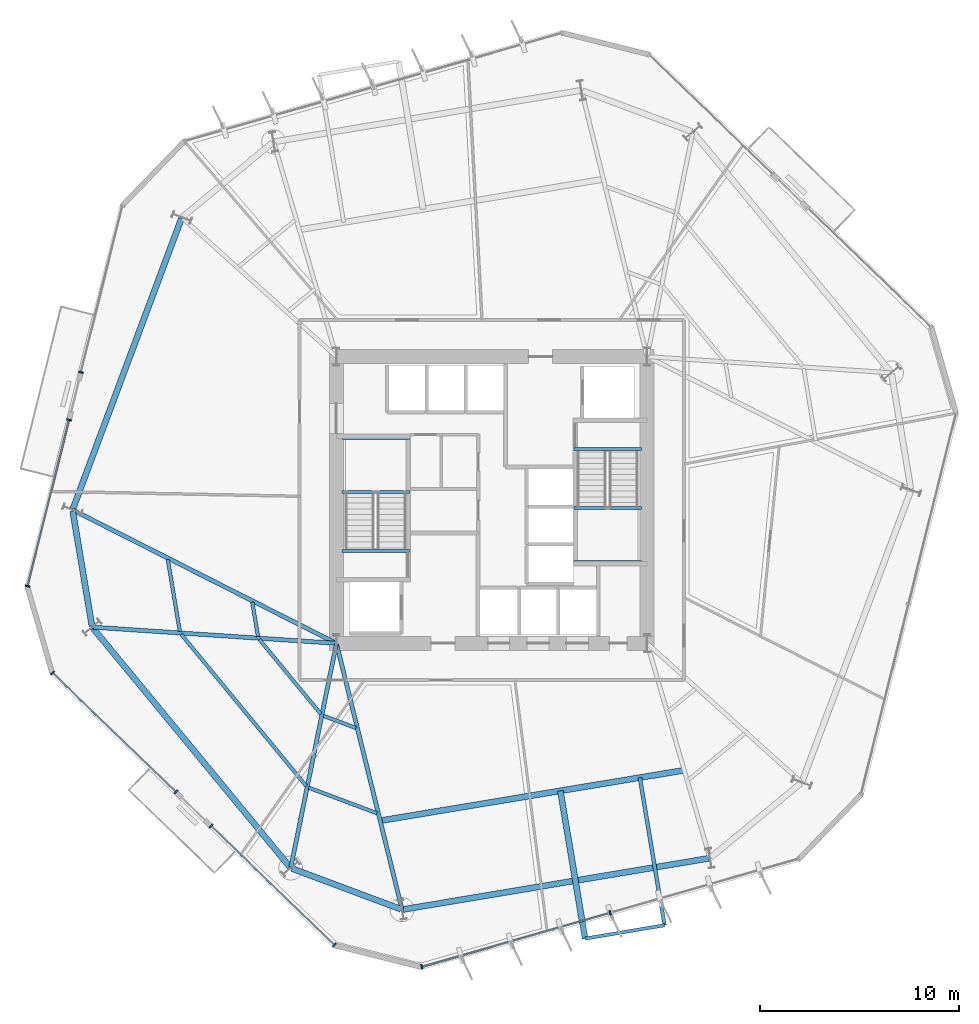
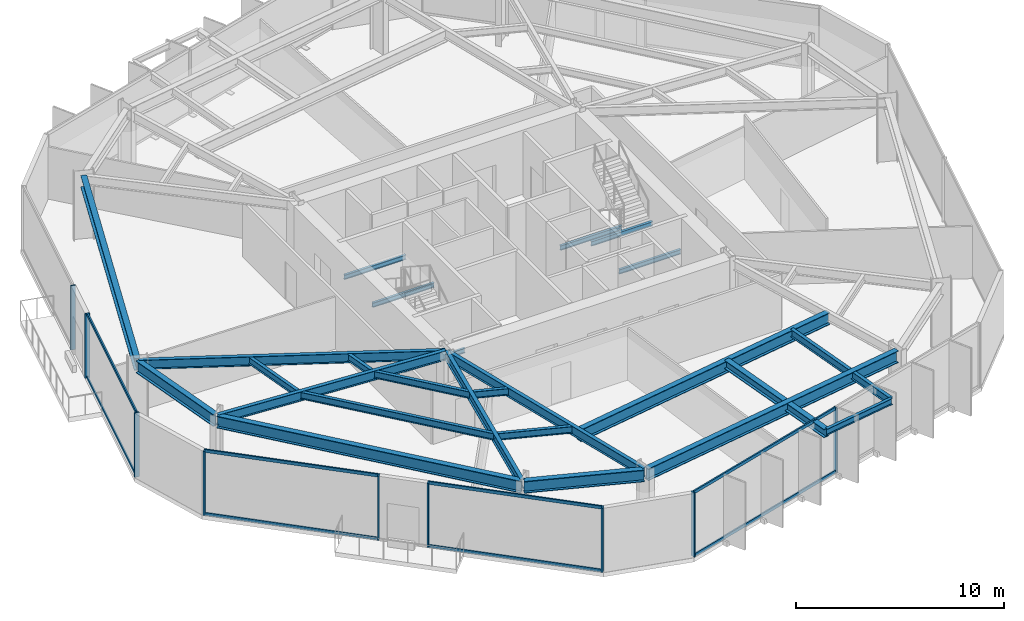
# One storey, part 2 of 10: 25 beams, 17 members, 5 elements without a shape of their own.
"""IFC4 building model written with IfcOpenShell, lengths in metres."""

from ifc_helpers import new_model, si_unit, direction, frame, origin, origin_2d, place, context, subcontext, project, spatial, rectangle, i_section, extrude, material, layer, layer_set, material_profile, profile_set, type_object, element, aggregate, save


model = new_model("IFC4")

# Units and contexts
model_context = context("Model", 3, precision=1e-05, world=origin(), true_north=direction((0.0, 1.0)))
body_context = subcontext(model_context, "Body", "Model", "MODEL_VIEW")
ifc_project = project(units=[si_unit("LENGTHUNIT", "METRE"), si_unit("AREAUNIT", "SQUARE_METRE"), si_unit("VOLUMEUNIT", "CUBIC_METRE"), si_unit("PLANEANGLEUNIT", "RADIAN"), si_unit("MASSUNIT", "GRAM", prefix="KILO")], contexts=[model_context])

# Site, building, storey
site_placement = place(None, origin())
site = spatial("IfcSite", under=ifc_project, at=site_placement, CompositionType="ELEMENT")
building_placement = place(site_placement, origin())
building = spatial("IfcBuilding", under=site, at=building_placement, Name="Kranzbogen Civic Tower", CompositionType="ELEMENT")
storey_placement = place(building_placement, frame((0.0, 0.0, 84.0)))
storey = spatial("IfcBuildingStorey", under=building, at=storey_placement, Name="L20", CompositionType="ELEMENT", Elevation=84.0)

# Beam
ifc_material_1 = material(Name="Steel S355", Category="steel")
ifc_material_profile_1 = material_profile(ifc_material_1, i_section(OverallWidth=0.18994140625, OverallDepth=0.449951171875, WebThickness=0.009521484375, FlangeThickness=0.0146484375, at=origin_2d()), Name="IPE 450")
ifc_profile_set_1 = profile_set([ifc_material_profile_1], Name="Steel S355")
beam_type_1 = type_object("IfcBeamType", Name="Braced Terrace Edge Beam IPE 450", PredefinedType="BEAM", material=ifc_profile_set_1)
beam_1_placement = place(storey_placement, frame((32.43505859375, 11.055908203125, 3.52490234375), z_axis=(0.165067748131, -0.986282230666, 0.0), x_axis=(0.986282230666, 0.165067748131, 0.0)))
element("IfcBeam", 1, at=beam_1_placement, inside=storey, type_object=beam_type_1, Name="L21 back-spanned terrace beam L21-TB1-2", PredefinedType="BEAM", context=body_context, shape_type="SweptSolid", body=[
    extrude(i_section(OverallWidth=0.18994140625, OverallDepth=0.449951171875, WebThickness=0.009521484375, FlangeThickness=0.0146484375, at=origin_2d()), origin(), (0.0, 0.0, 1.0), 7.517822265625),
])

# Curtain wall, member
ifc_material_2 = material(Name="Pale Anodised Aluminium", Category="aluminium")
ifc_layer = layer(ifc_material_2, 0.219970703125, Name="Pale Anodised Aluminium")
ifc_layer_set = layer_set([ifc_layer], Name="Pale Anodised Aluminium")
curtain_wall_type = type_object("IfcCurtainWallType", Name="Zone 1 Stick Curtain Wall System CW-02", PredefinedType="USERDEFINED", material=ifc_layer_set)
curtain_wall_1_placement = place(storey_placement, origin())
curtain_wall_1 = element("IfcCurtainWall", 2, at=curtain_wall_1_placement, inside=storey, type_object=curtain_wall_type, Name="L20 curtain wall CW-L20-F3-S1", ObjectType="STICK CURTAIN WALL", PredefinedType="USERDEFINED")
ifc_material_profile_2 = material_profile(ifc_material_2, rectangle(XDim=0.080078125, YDim=0.239990234375, at=origin_2d()), Name="ALU-M 80x240")
ifc_profile_set_2 = profile_set([ifc_material_profile_2], Name="Pale Anodised Aluminium")
member_type_1 = type_object("IfcMemberType", Name="Curtain Wall Mullion ALU-M 80x240", PredefinedType="MULLION", material=ifc_profile_set_2)
member_1_placement = place(storey_placement, frame((4.365234375, 31.4130859375, 0.0), z_axis=(0.0, 0.0, 1.0), x_axis=(-0.241938635262, -0.970291552456, 0.0)))
member_1 = element("IfcMember", 3, at=member_1_placement, type_object=member_type_1, Name="CW-02 mullion 2", PredefinedType="MULLION", context=body_context, shape_type="SweptSolid", body=[
    extrude(rectangle(XDim=0.080078125, YDim=0.239990234375, at=origin_2d()), origin(), (0.0, 0.0, 1.0), 3.760009765625),
])
aggregate(curtain_wall_1, [member_1])

# Curtain wall, members
curtain_wall_2_placement = place(storey_placement, origin())
curtain_wall_2 = element("IfcCurtainWall", 4, at=curtain_wall_2_placement, inside=storey, type_object=curtain_wall_type, Name="L20 curtain wall CW-L20-F3-S2", ObjectType="STICK CURTAIN WALL", PredefinedType="USERDEFINED")
member_2_placement = place(storey_placement, frame((3.770751953125, 29.02587890625, 0.0), z_axis=(0.0, 0.0, 1.0), x_axis=(-0.241911567018, -0.970298301422, 0.0)))
member_2 = element("IfcMember", 5, at=member_2_placement, type_object=member_type_1, Name="CW-02 mullion 1", PredefinedType="MULLION", context=body_context, shape_type="SweptSolid", body=[
    extrude(rectangle(XDim=0.080078125, YDim=0.239990234375, at=origin_2d()), origin(), (0.0, 0.0, 1.0), 3.760009765625),
])
member_3_placement = place(storey_placement, frame((1.687255859375, 20.669189453125, 0.0), z_axis=(0.0, 0.0, 1.0), x_axis=(-0.241911567018, -0.970298301422, 0.0)))
member_3 = element("IfcMember", 6, at=member_3_placement, type_object=member_type_1, Name="CW-02 mullion 2", PredefinedType="MULLION", context=body_context, shape_type="SweptSolid", body=[
    extrude(rectangle(XDim=0.080078125, YDim=0.239990234375, at=origin_2d()), origin(), (0.0, 0.0, 1.0), 3.760009765625),
])

curtain_wall_3_placement = place(storey_placement, origin())
curtain_wall_3 = element("IfcCurtainWall", 7, at=curtain_wall_3_placement, inside=storey, type_object=curtain_wall_type, Name="L20 curtain wall CW-L20-F4-S1", ObjectType="STICK CURTAIN WALL", PredefinedType="USERDEFINED")
member_4_placement = place(storey_placement, frame((2.9345703125, 16.319091796875, 0.0), z_axis=(0.0, 0.0, 1.0), x_axis=(0.719280253947, -0.694720027264, 0.0)))
member_4 = element("IfcMember", 8, at=member_4_placement, type_object=member_type_1, Name="CW-02 mullion 1", PredefinedType="MULLION", context=body_context, shape_type="SweptSolid", body=[
    extrude(rectangle(XDim=0.080078125, YDim=0.239990234375, at=origin_2d()), origin(), (0.0, 0.0, 1.0), 3.760009765625),
])
member_5_placement = place(storey_placement, frame((9.12939453125, 10.3359375, 0.0), z_axis=(0.0, 0.0, 1.0), x_axis=(0.719280253947, -0.694720027264, 0.0)))
member_5 = element("IfcMember", 9, at=member_5_placement, type_object=member_type_1, Name="CW-02 mullion 2", PredefinedType="MULLION", context=body_context, shape_type="SweptSolid", body=[
    extrude(rectangle(XDim=0.080078125, YDim=0.239990234375, at=origin_2d()), origin(), (0.0, 0.0, 1.0), 3.760009765625),
])

curtain_wall_4_placement = place(storey_placement, origin())
curtain_wall_4 = element("IfcCurtainWall", 10, at=curtain_wall_4_placement, inside=storey, type_object=curtain_wall_type, Name="L20 curtain wall CW-L20-F4-S2", ObjectType="STICK CURTAIN WALL", PredefinedType="USERDEFINED")
member_6_placement = place(storey_placement, frame((10.899658203125, 8.627197265625, 0.0), z_axis=(0.0, 0.0, 1.0), x_axis=(0.719337874426, -0.694660364794, 0.0)))
member_6 = element("IfcMember", 11, at=member_6_placement, type_object=member_type_1, Name="CW-02 mullion 1", PredefinedType="MULLION", context=body_context, shape_type="SweptSolid", body=[
    extrude(rectangle(XDim=0.080078125, YDim=0.239990234375, at=origin_2d()), origin(), (0.0, 0.0, 1.0), 3.760009765625),
])
member_7_placement = place(storey_placement, frame((17.094482421875, 2.644775390625, 0.0), z_axis=(0.0, 0.0, 1.0), x_axis=(0.719337874426, -0.694660364794, 0.0)))
member_7 = element("IfcMember", 12, at=member_7_placement, type_object=member_type_1, Name="CW-02 mullion 2", PredefinedType="MULLION", context=body_context, shape_type="SweptSolid", body=[
    extrude(rectangle(XDim=0.080078125, YDim=0.239990234375, at=origin_2d()), origin(), (0.0, 0.0, 1.0), 3.760009765625),
])

curtain_wall_5_placement = place(storey_placement, origin())
curtain_wall_5 = element("IfcCurtainWall", 13, at=curtain_wall_5_placement, inside=storey, type_object=curtain_wall_type, Name="L20 curtain wall CW-L20-F5", ObjectType="STICK CURTAIN WALL", PredefinedType="USERDEFINED")
member_8_placement = place(storey_placement, frame((21.48583984375, 1.54931640625, 0.0), z_axis=(0.0, 0.0, 1.0), x_axis=(0.961250163231, 0.275677571973, 0.0)))
member_8 = element("IfcMember", 14, at=member_8_placement, type_object=member_type_1, Name="CW-02 mullion 1", PredefinedType="MULLION", context=body_context, shape_type="SweptSolid", body=[
    extrude(rectangle(XDim=0.080078125, YDim=0.239990234375, at=origin_2d()), origin(), (0.0, 0.0, 1.0), 3.760009765625),
])
member_9_placement = place(storey_placement, frame((30.946533203125, 4.262451171875, 0.0), z_axis=(0.0, 0.0, 1.0), x_axis=(0.961250163231, 0.275677571973, 0.0)))
member_9 = element("IfcMember", 15, at=member_9_placement, type_object=member_type_1, Name="CW-02 mullion 2", PredefinedType="MULLION", context=body_context, shape_type="SweptSolid", body=[
    extrude(rectangle(XDim=0.080078125, YDim=0.239990234375, at=origin_2d()), origin(), (0.0, 0.0, 1.0), 3.760009765625),
])

# Member
ifc_material_profile_3 = material_profile(ifc_material_2, rectangle(XDim=0.080078125, YDim=0.179931640625, at=origin_2d()), Name="ALU-T 80x180")
ifc_profile_set_3 = profile_set([ifc_material_profile_3], Name="Pale Anodised Aluminium")
member_type_2 = type_object("IfcMemberType", Name="Curtain Wall Transom ALU-T 80x180", PredefinedType="USERDEFINED", material=ifc_profile_set_3)
member_10_placement = place(storey_placement, frame((3.763427734375, 28.996826171875, 0.030029296875), z_axis=(-0.241897488986, -0.970301811202, 0.0), x_axis=(0.970301811202, -0.241897488986, 0.0)))
member_10 = element("IfcMember", 16, at=member_10_placement, type_object=member_type_2, Name="CW-02 transom 1.1", ObjectType="TRANSOM", PredefinedType="USERDEFINED", context=body_context, shape_type="SweptSolid", body=[
    extrude(rectangle(XDim=0.080078125, YDim=0.179931640625, at=origin_2d()), origin(), (0.0, 0.0, 1.0), 8.552490234375),
])

member_11_placement = place(storey_placement, frame((3.763427734375, 28.996826171875, 3.72998046875), z_axis=(-0.241897488986, -0.970301811202, 0.0), x_axis=(0.970301811202, -0.241897488986, 0.0)))
member_11 = element("IfcMember", 17, at=member_11_placement, type_object=member_type_2, Name="CW-02 transom 1.2", ObjectType="TRANSOM", PredefinedType="USERDEFINED", context=body_context, shape_type="SweptSolid", body=[
    extrude(rectangle(XDim=0.080078125, YDim=0.179931640625, at=origin_2d()), origin(), (0.0, 0.0, 1.0), 8.552490234375),
])

aggregate(curtain_wall_2, [member_2, member_3, member_10, member_11])

member_12_placement = place(storey_placement, frame((2.9560546875, 16.29833984375, 0.030029296875), z_axis=(0.719288815116, -0.694711163326, 0.0), x_axis=(0.694711163326, 0.719288815116, 0.0)))
member_12 = element("IfcMember", 18, at=member_12_placement, type_object=member_type_2, Name="CW-02 transom 1.1", ObjectType="TRANSOM", PredefinedType="USERDEFINED", context=body_context, shape_type="SweptSolid", body=[
    extrude(rectangle(XDim=0.080078125, YDim=0.179931640625, at=origin_2d()), origin(), (0.0, 0.0, 1.0), 8.552734375),
])

member_13_placement = place(storey_placement, frame((2.9560546875, 16.29833984375, 3.72998046875), z_axis=(0.719288815116, -0.694711163326, 0.0), x_axis=(0.694711163326, 0.719288815116, 0.0)))
member_13 = element("IfcMember", 19, at=member_13_placement, type_object=member_type_2, Name="CW-02 transom 1.2", ObjectType="TRANSOM", PredefinedType="USERDEFINED", context=body_context, shape_type="SweptSolid", body=[
    extrude(rectangle(XDim=0.080078125, YDim=0.179931640625, at=origin_2d()), origin(), (0.0, 0.0, 1.0), 8.552734375),
])

aggregate(curtain_wall_3, [member_4, member_5, member_12, member_13])

member_14_placement = place(storey_placement, frame((10.921142578125, 8.606201171875, 0.030029296875), z_axis=(0.71934636339, -0.694651574156, 0.0), x_axis=(0.694651574156, 0.71934636339, 0.0)))
member_14 = element("IfcMember", 20, at=member_14_placement, type_object=member_type_2, Name="CW-02 transom 1.1", ObjectType="TRANSOM", PredefinedType="USERDEFINED", context=body_context, shape_type="SweptSolid", body=[
    extrude(rectangle(XDim=0.080078125, YDim=0.179931640625, at=origin_2d()), origin(), (0.0, 0.0, 1.0), 8.5517578125),
])

member_15_placement = place(storey_placement, frame((10.921142578125, 8.606201171875, 3.72998046875), z_axis=(0.71934636339, -0.694651574156, 0.0), x_axis=(0.694651574156, 0.71934636339, 0.0)))
member_15 = element("IfcMember", 21, at=member_15_placement, type_object=member_type_2, Name="CW-02 transom 1.2", ObjectType="TRANSOM", PredefinedType="USERDEFINED", context=body_context, shape_type="SweptSolid", body=[
    extrude(rectangle(XDim=0.080078125, YDim=0.179931640625, at=origin_2d()), origin(), (0.0, 0.0, 1.0), 8.5517578125),
])

aggregate(curtain_wall_4, [member_6, member_7, member_14, member_15])

member_16_placement = place(storey_placement, frame((21.5146484375, 1.5576171875, 0.030029296875), z_axis=(0.96125507311, 0.275660451318, 0.0), x_axis=(-0.275660451318, 0.96125507311, 0.0)))
member_16 = element("IfcMember", 22, at=member_16_placement, type_object=member_type_2, Name="CW-02 transom 1.1", ObjectType="TRANSOM", PredefinedType="USERDEFINED", context=body_context, shape_type="SweptSolid", body=[
    extrude(rectangle(XDim=0.080078125, YDim=0.179931640625, at=origin_2d()), origin(), (0.0, 0.0, 1.0), 9.781982421875),
])

member_17_placement = place(storey_placement, frame((21.5146484375, 1.5576171875, 3.72998046875), z_axis=(0.96125507311, 0.275660451318, 0.0), x_axis=(-0.275660451318, 0.96125507311, 0.0)))
member_17 = element("IfcMember", 23, at=member_17_placement, type_object=member_type_2, Name="CW-02 transom 1.2", ObjectType="TRANSOM", PredefinedType="USERDEFINED", context=body_context, shape_type="SweptSolid", body=[
    extrude(rectangle(XDim=0.080078125, YDim=0.179931640625, at=origin_2d()), origin(), (0.0, 0.0, 1.0), 9.781982421875),
])

aggregate(curtain_wall_5, [member_8, member_9, member_16, member_17])

# Beams
ifc_material_profile_4 = material_profile(ifc_material_1, i_section(OverallWidth=0.300048828125, OverallDepth=0.5, WebThickness=0.014404296875, FlangeThickness=0.028076171875, at=origin_2d()), Name="HEB 500")
ifc_profile_set_4 = profile_set([ifc_material_profile_4], Name="Steel S355")
beam_type_2 = type_object("IfcBeamType", Name="Perimeter Tube Spandrel Beam HEB 500", PredefinedType="SPANDREL", material=ifc_profile_set_4)
beam_2_placement = place(storey_placement, frame((28.445068359375, 10.39306640625, 3.5), z_axis=(0.165014409192, -0.98629115618, 0.0), x_axis=(0.98629115618, 0.165014409192, 0.0)))
element("IfcBeam", 24, at=beam_2_placement, inside=storey, type_object=beam_type_2, Name="L21 back-spanned terrace beam L21-TB1-1", PredefinedType="SPANDREL", context=body_context, shape_type="SweptSolid", body=[
    extrude(i_section(OverallWidth=0.300048828125, OverallDepth=0.5, WebThickness=0.014404296875, FlangeThickness=0.028076171875, at=origin_2d()), origin(), (0.0, 0.0, 1.0), 7.5263671875),
])
ifc_material_profile_5 = material_profile(ifc_material_1, i_section(OverallWidth=0.300048828125, OverallDepth=0.699951171875, WebThickness=0.01708984375, FlangeThickness=0.031982421875, at=origin_2d()), Name="HEB 700")
ifc_profile_set_5 = profile_set([ifc_material_profile_5], Name="Steel S355")
beam_type_3 = type_object("IfcBeamType", Name="Perimeter Tube Spandrel Beam HEB 700", PredefinedType="SPANDREL", material=ifc_profile_set_5)
beam_3_placement = place(storey_placement, frame((3.952880859375, 24.445068359375, 3.409912109375), z_axis=(0.164913116942, -0.986308097838, 0.0), x_axis=(0.986308097838, 0.164913116942, 0.0)))
element("IfcBeam", 25, at=beam_3_placement, inside=storey, type_object=beam_type_3, Name="L20 perimeter spandrel beam 01", PredefinedType="SPANDREL", context=body_context, shape_type="SweptSolid", body=[
    extrude(i_section(OverallWidth=0.300048828125, OverallDepth=0.699951171875, WebThickness=0.01708984375, FlangeThickness=0.031982421875, at=origin_2d()), origin(), (0.0, 0.0, 1.0), 5.85205078125),
])
beam_4_placement = place(storey_placement, frame((4.966064453125, 18.568115234375, 3.409912109375), z_axis=(0.636074572579, -0.771627590304, 0.0), x_axis=(0.771627590304, 0.636074572579, 0.0)))
element("IfcBeam", 26, at=beam_4_placement, inside=storey, type_object=beam_type_3, Name="L20 perimeter spandrel beam 02", PredefinedType="SPANDREL", context=body_context, shape_type="SweptSolid", body=[
    extrude(i_section(OverallWidth=0.300048828125, OverallDepth=0.699951171875, WebThickness=0.01708984375, FlangeThickness=0.031982421875, at=origin_2d()), origin(), (0.0, 0.0, 1.0), 15.5595703125),
])
beam_5_placement = place(storey_placement, frame((14.95703125, 6.4951171875, 3.409912109375), z_axis=(0.936647646965, -0.350273015568, 0.0), x_axis=(0.350273015568, 0.936647646965, 0.0)))
element("IfcBeam", 27, at=beam_5_placement, inside=storey, type_object=beam_type_3, Name="L20 perimeter spandrel beam 03", PredefinedType="SPANDREL", context=body_context, shape_type="SweptSolid", body=[
    extrude(i_section(OverallWidth=0.300048828125, OverallDepth=0.699951171875, WebThickness=0.01708984375, FlangeThickness=0.031982421875, at=origin_2d()), origin(), (0.0, 0.0, 1.0), 5.852783203125),
])
beam_6_placement = place(storey_placement, frame((20.553955078125, 4.43408203125, 3.409912109375), z_axis=(0.986285563243, 0.165047834697, 0.0), x_axis=(-0.165047834697, 0.986285563243, 0.0)))
element("IfcBeam", 28, at=beam_6_placement, inside=storey, type_object=beam_type_3, Name="L20 perimeter spandrel beam 04", PredefinedType="SPANDREL", context=body_context, shape_type="SweptSolid", body=[
    extrude(i_section(OverallWidth=0.300048828125, OverallDepth=0.699951171875, WebThickness=0.01708984375, FlangeThickness=0.031982421875, at=origin_2d()), origin(), (0.0, 0.0, 1.0), 15.558349609375),
])
beam_7_placement = place(storey_placement, frame((9.412109375, 39.133056640625, 3.409912109375), z_axis=(-0.350172267932, -0.936685316833, 0.0), x_axis=(0.936685316833, -0.350172267932, 0.0)))
element("IfcBeam", 29, at=beam_7_placement, inside=storey, type_object=beam_type_3, Name="L20 perimeter spandrel beam 12", PredefinedType="SPANDREL", context=body_context, shape_type="SweptSolid", body=[
    extrude(i_section(OverallWidth=0.300048828125, OverallDepth=0.699951171875, WebThickness=0.01708984375, FlangeThickness=0.031982421875, at=origin_2d()), origin(), (0.0, 0.0, 1.0), 15.55810546875),
])
beam_8_placement = place(storey_placement, frame((19.39501953125, 8.889892578125, 3.39990234375), z_axis=(0.9864781902, 0.163892587571, 0.0), x_axis=(-0.163892587571, 0.9864781902, 0.0)))
element("IfcBeam", 30, at=beam_8_placement, inside=storey, type_object=beam_type_3, Name="L21 balcony back-span header girder L21-TB1", PredefinedType="SPANDREL", context=body_context, shape_type="SweptSolid", body=[
    extrude(i_section(OverallWidth=0.300048828125, OverallDepth=0.699951171875, WebThickness=0.01708984375, FlangeThickness=0.031982421875, at=origin_2d()), origin(), (0.0, 0.0, 1.0), 15.480224609375),
])
ifc_material_profile_6 = material_profile(ifc_material_1, i_section(OverallWidth=0.2099609375, OverallDepth=0.550048828125, WebThickness=0.010986328125, FlangeThickness=0.01708984375, at=origin_2d()), Name="IPE 550")
ifc_profile_set_6 = profile_set([ifc_material_profile_6], Name="Steel S355")
beam_type_4 = type_object("IfcBeamType", Name="Radial Tower Floor Girder IPE 550", PredefinedType="BEAM", material=ifc_profile_set_6)
beam_9_placement = place(storey_placement, frame((3.9970703125, 24.47705078125, 3.485107421875), z_axis=(0.892363219254, -0.451317942168, 0.0), x_axis=(0.451317942168, 0.892363219254, 0.0)))
element("IfcBeam", 31, at=beam_9_placement, inside=storey, type_object=beam_type_4, Name="L20 radial floor girder 01", PredefinedType="BEAM", context=body_context, shape_type="SweptSolid", body=[
    extrude(i_section(OverallWidth=0.2099609375, OverallDepth=0.550048828125, WebThickness=0.010986328125, FlangeThickness=0.01708984375, at=origin_2d()), origin(), (0.0, 0.0, 1.0), 14.73486328125),
])
beam_10_placement = place(storey_placement, frame((4.988037109375, 18.610107421875, 3.485107421875), z_axis=(0.99780674843, -0.066194356156, 0.0), x_axis=(0.066194356156, 0.99780674843, 0.0)))
element("IfcBeam", 32, at=beam_10_placement, inside=storey, type_object=beam_type_4, Name="L20 radial floor girder 02", PredefinedType="BEAM", context=body_context, shape_type="SweptSolid", body=[
    extrude(i_section(OverallWidth=0.2099609375, OverallDepth=0.550048828125, WebThickness=0.010986328125, FlangeThickness=0.01708984375, at=origin_2d()), origin(), (0.0, 0.0, 1.0), 12.178466796875),
])
beam_11_placement = place(storey_placement, frame((14.9130859375, 6.574951171875, 3.485107421875), z_axis=(0.199633433694, 0.979870650725, 0.0), x_axis=(-0.979870650725, 0.199633433694, 0.0)))
element("IfcBeam", 33, at=beam_11_placement, inside=storey, type_object=beam_type_4, Name="L20 radial floor girder 03", PredefinedType="BEAM", context=body_context, shape_type="SweptSolid", body=[
    extrude(i_section(OverallWidth=0.2099609375, OverallDepth=0.550048828125, WebThickness=0.010986328125, FlangeThickness=0.01708984375, at=origin_2d()), origin(), (0.0, 0.0, 1.0), 11.3955078125),
])
beam_12_placement = place(storey_placement, frame((20.48095703125, 4.48193359375, 3.485107421875), z_axis=(-0.239215348776, 0.970966537482, 0.0), x_axis=(-0.970966537482, -0.239215348776, 0.0)))
element("IfcBeam", 34, at=beam_12_placement, inside=storey, type_object=beam_type_4, Name="L20 radial floor girder 04", PredefinedType="BEAM", context=body_context, shape_type="SweptSolid", body=[
    extrude(i_section(OverallWidth=0.2099609375, OverallDepth=0.550048828125, WebThickness=0.010986328125, FlangeThickness=0.01708984375, at=origin_2d()), origin(), (0.0, 0.0, 1.0), 13.656494140625),
])
ifc_material_profile_7 = material_profile(ifc_material_1, i_section(OverallWidth=0.169921875, OverallDepth=0.360107421875, WebThickness=0.008056640625, FlangeThickness=0.0126953125, at=origin_2d()), Name="IPE 360")
ifc_profile_set_7 = profile_set([ifc_material_profile_7], Name="Steel S355")
beam_type_5 = type_object("IfcBeamType", Name="Secondary Composite Floor Joist IPE 360", PredefinedType="JOIST", material=ifc_profile_set_7)
beam_13_placement = place(storey_placement, frame((29.68701171875, 2.969970703125, 3.570068359375), z_axis=(0.986139918864, 0.165915823304, 0.0), x_axis=(-0.165915823304, 0.986139918864, 0.0)))
element("IfcBeam", 35, at=beam_13_placement, inside=storey, type_object=beam_type_5, Name="L21 terrace outer edge trimmer L21-TB1", PredefinedType="JOIST", context=body_context, shape_type="SweptSolid", body=[
    extrude(i_section(OverallWidth=0.169921875, OverallDepth=0.360107421875, WebThickness=0.008056640625, FlangeThickness=0.0126953125, at=origin_2d()), origin(), (0.0, 0.0, 1.0), 4.045166015625),
])
ifc_material_profile_8 = material_profile(ifc_material_1, i_section(OverallWidth=0.179931640625, OverallDepth=0.39990234375, WebThickness=0.008544921875, FlangeThickness=0.013427734375, at=origin_2d()), Name="IPE 400")
ifc_profile_set_8 = profile_set([ifc_material_profile_8], Name="Steel S355")
beam_type_6 = type_object("IfcBeamType", Name="Secondary Composite Floor Joist IPE 400", PredefinedType="JOIST", material=ifc_profile_set_8)
beam_14_placement = place(storey_placement, frame((8.72900390625, 22.011962890625, 3.56005859375), z_axis=(0.164928678379, -0.986305495802, 0.0), x_axis=(0.986305495802, 0.164928678379, 0.0)))
element("IfcBeam", 36, at=beam_14_placement, inside=storey, type_object=beam_type_6, Name="L20 secondary floor joist 1.01", PredefinedType="JOIST", context=body_context, shape_type="SweptSolid", body=[
    extrude(i_section(OverallWidth=0.179931640625, OverallDepth=0.39990234375, WebThickness=0.008544921875, FlangeThickness=0.013427734375, at=origin_2d()), origin(), (0.0, 0.0, 1.0), 3.662109375),
])
beam_15_placement = place(storey_placement, frame((12.970947265625, 19.865966796875, 3.56005859375), z_axis=(0.165077224104, -0.986280644686, 0.0), x_axis=(0.986280644686, 0.165077224104, 0.0)))
element("IfcBeam", 37, at=beam_15_placement, inside=storey, type_object=beam_type_6, Name="L20 secondary floor joist 2.01", PredefinedType="JOIST", context=body_context, shape_type="SweptSolid", body=[
    extrude(i_section(OverallWidth=0.179931640625, OverallDepth=0.39990234375, WebThickness=0.008544921875, FlangeThickness=0.013427734375, at=origin_2d()), origin(), (0.0, 0.0, 1.0), 1.7509765625),
])
beam_16_placement = place(storey_placement, frame((9.39697265625, 18.259033203125, 3.56005859375), z_axis=(0.636094561772, -0.771611112209, 0.0), x_axis=(0.771611112209, 0.636094561772, 0.0)))
element("IfcBeam", 38, at=beam_16_placement, inside=storey, type_object=beam_type_6, Name="L20 secondary floor joist 1.02", PredefinedType="JOIST", context=body_context, shape_type="SweptSolid", body=[
    extrude(i_section(OverallWidth=0.179931640625, OverallDepth=0.39990234375, WebThickness=0.008544921875, FlangeThickness=0.013427734375, at=origin_2d()), origin(), (0.0, 0.0, 1.0), 9.874267578125),
])
beam_17_placement = place(storey_placement, frame((13.323974609375, 17.9990234375, 3.56005859375), z_axis=(0.636012010413, -0.771679157818, 0.0), x_axis=(0.771679157818, 0.636012010413, 0.0)))
element("IfcBeam", 39, at=beam_17_placement, inside=storey, type_object=beam_type_6, Name="L20 secondary floor joist 2.02", PredefinedType="JOIST", context=body_context, shape_type="SweptSolid", body=[
    extrude(i_section(OverallWidth=0.179931640625, OverallDepth=0.39990234375, WebThickness=0.008544921875, FlangeThickness=0.013427734375, at=origin_2d()), origin(), (0.0, 0.0, 1.0), 4.85693359375),
])
beam_18_placement = place(storey_placement, frame((15.803955078125, 10.550048828125, 3.56005859375), z_axis=(0.936622008794, -0.350341565678, 0.0), x_axis=(0.350341565678, 0.936622008794, 0.0)))
element("IfcBeam", 40, at=beam_18_placement, inside=storey, type_object=beam_type_6, Name="L20 secondary floor joist 1.03", PredefinedType="JOIST", context=body_context, shape_type="SweptSolid", body=[
    extrude(i_section(OverallWidth=0.179931640625, OverallDepth=0.39990234375, WebThickness=0.008544921875, FlangeThickness=0.013427734375, at=origin_2d()), origin(), (0.0, 0.0, 1.0), 3.662109375),
])
beam_19_placement = place(storey_placement, frame((16.5390625, 14.160888671875, 3.56005859375), z_axis=(0.936735458815, -0.350038112495, 0.0), x_axis=(0.350038112495, 0.936735458815, 0.0)))
element("IfcBeam", 41, at=beam_19_placement, inside=storey, type_object=beam_type_6, Name="L20 secondary floor joist 2.03", PredefinedType="JOIST", context=body_context, shape_type="SweptSolid", body=[
    extrude(i_section(OverallWidth=0.179931640625, OverallDepth=0.39990234375, WebThickness=0.008544921875, FlangeThickness=0.013427734375, at=origin_2d()), origin(), (0.0, 0.0, 1.0), 1.750732421875),
])
ifc_material_profile_9 = material_profile(ifc_material_1, i_section(OverallWidth=0.135009765625, OverallDepth=0.27001953125, WebThickness=0.006591796875, FlangeThickness=0.01025390625, at=origin_2d()), Name="IPE 270")
ifc_profile_set_9 = profile_set([ifc_material_profile_9], Name="Steel S355")
beam_type_7 = type_object("IfcBeamType", Name="Stair Landing Support Beam IPE 270", PredefinedType="JOIST", material=ifc_profile_set_9)
for number, where, z_axis, x_axis, name in (
    (42, (20.8798828125, 22.43994140625, -0.375), (-1.0, 0.0, 0.0), (0.0, -1.0, 0.0), "L20 ST-T1 stair floor header beam"),
    (43, (20.8798828125, 25.39990234375, 1.6650390625), (-1.0, 0.0, 0.0), (0.0, -1.0, 0.0), "L20 ST-T1 landing support beam 1.1"),
    (44, (20.8798828125, 28.10009765625, 1.6650390625), (-1.0, 0.0, 0.0), (0.0, -1.0, 0.0), "L20 ST-T1 landing support beam 1.2"),
    (45, (29.1201171875, 27.56005859375, -0.375), (1.0, 0.0, 0.0), (0.0, 1.0, 0.0), "L20 ST-T2 stair floor header beam"),
    (46, (29.1201171875, 24.60009765625, 1.6650390625), (1.0, 0.0, 0.0), (0.0, 1.0, 0.0), "L20 ST-T2 landing support beam 1.1"),
    (47, (29.1201171875, 21.89990234375, 1.6650390625), (1.0, 0.0, 0.0), (0.0, 1.0, 0.0), "L20 ST-T2 landing support beam 1.2"),
):
    element("IfcBeam", number, at=place(storey_placement, frame(where, z_axis=z_axis, x_axis=x_axis)), inside=storey, type_object=beam_type_7, Name=name, PredefinedType="JOIST", context=body_context, shape_type="SweptSolid", body=[
        extrude(i_section(OverallWidth=0.135009765625, OverallDepth=0.27001953125, WebThickness=0.006591796875, FlangeThickness=0.01025390625, at=origin_2d()), origin(), (0.0, 0.0, 1.0), 3.409912109375),
    ])

save(model, "model.ifc")
